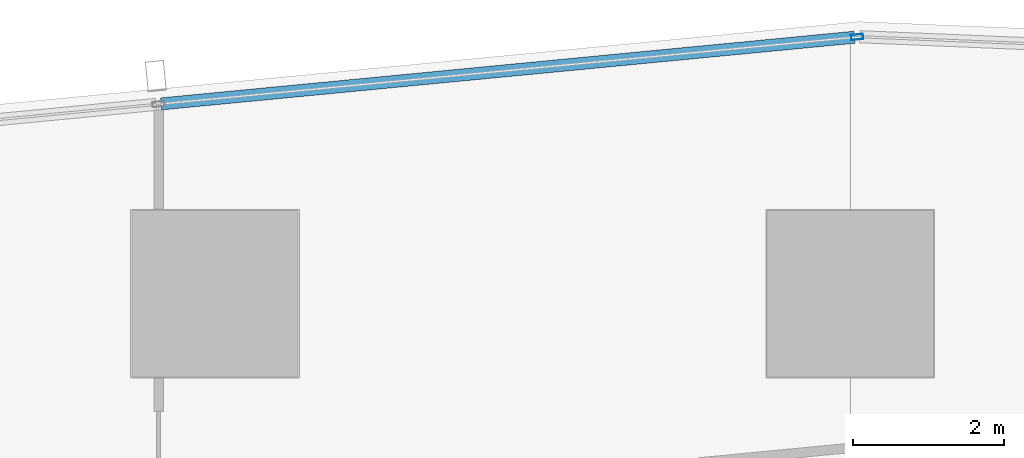
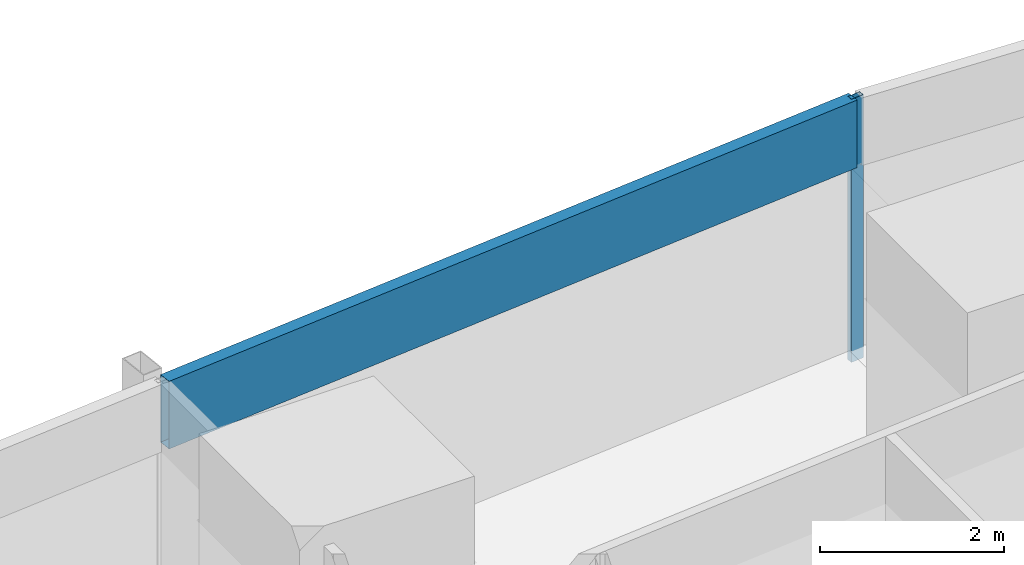
# One storey, part 17 of 42: 2 members, 1 element without a shape of its own.
"""IFC4 building model written with IfcOpenShell, lengths in metres."""

from ifc_helpers import new_model, si_unit, direction, frame, origin, origin_2d, place, context, subcontext, project, spatial, hollow_rectangle, extrude, material, material_profile, profile_set, type_object, element, aggregate, save


model = new_model("IFC4")

# Units and contexts
model_context = context("Model", 3, precision=1e-05, world=origin(), true_north=direction((0.0, 1.0)))
body_context = subcontext(model_context, "Body", "Model", "MODEL_VIEW")
ifc_project = project(units=[si_unit("LENGTHUNIT", "METRE"), si_unit("AREAUNIT", "SQUARE_METRE"), si_unit("VOLUMEUNIT", "CUBIC_METRE"), si_unit("PLANEANGLEUNIT", "RADIAN"), si_unit("MASSUNIT", "GRAM", prefix="KILO")], contexts=[model_context])

# Site, building, storey
site_placement = place(None, origin())
site = spatial("IfcSite", under=ifc_project, at=site_placement, CompositionType="ELEMENT")
building_placement = place(site_placement, origin())
building = spatial("IfcBuilding", under=site, at=building_placement, Name="Rekha Terrace Tower", CompositionType="ELEMENT")
storey_placement = place(building_placement, frame((0.0, 0.0, 70.39990234375)))
storey = spatial("IfcBuildingStorey", under=building, at=storey_placement, Name="L17", CompositionType="ELEMENT", Elevation=70.39990234375)

# Curtain wall, members
ifc_material_1 = material(Name="Aluminium framing", Category="aluminium")
curtain_wall_type = type_object("IfcCurtainWallType", Name="CW3 north unitised glazing", PredefinedType="USERDEFINED", material=ifc_material_1)
curtain_wall_placement = place(storey_placement, origin())
curtain_wall = element("IfcCurtainWall", 1, at=curtain_wall_placement, inside=storey, type_object=curtain_wall_type, Name="CW3 unitised curtain wall", ObjectType="UNITISED CURTAIN WALL", PredefinedType="USERDEFINED")
ifc_material_2 = material(Name="Aluminium mullion section", Category="aluminium")
ifc_material_profile_1 = material_profile(ifc_material_2, hollow_rectangle(XDim=0.070068359375, YDim=0.159912109375, WallThickness=0.00390625, at=origin_2d()), Name="AL RHS 70x160")
ifc_profile_set_1 = profile_set([ifc_material_profile_1], Name="Aluminium mullion section")
member_type_1 = type_object("IfcMemberType", Name="CW3 mullion RHS 70 x 160", PredefinedType="MULLION", material=ifc_profile_set_1)
member_1_placement = place(storey_placement, frame((25.29052734375, 62.1962890625, 0.0), z_axis=(0.0, 0.0, 1.0), x_axis=(0.095712406625, -0.995409029102, 0.0)))
member_1 = element("IfcMember", 2, at=member_1_placement, type_object=member_type_1, Name="CW3 mullion 1", PredefinedType="MULLION", context=body_context, shape_type="SweptSolid", body=[
    extrude(hollow_rectangle(XDim=0.070068359375, YDim=0.159912109375, WallThickness=0.00390625, at=origin_2d()), origin(), (0.0, 0.0, 1.0), 3.5),
])
ifc_material_3 = material(Name="Insulated aluminium spandrel box", Category="aluminium")
ifc_material_profile_2 = material_profile(ifc_material_3, hollow_rectangle(XDim=0.159912109375, YDim=0.89990234375, WallThickness=0.0029296875, at=origin_2d()), Name="AL SPANDREL BOX 160x900")
ifc_profile_set_2 = profile_set([ifc_material_profile_2], Name="Insulated aluminium spandrel box")
member_type_2 = type_object("IfcMemberType", Name="CW3 spandrel transom 160 x 900", PredefinedType="USERDEFINED", material=ifc_profile_set_2)
member_2_placement = place(storey_placement, frame((25.255859375, 62.19287109375, 3.050048828125), z_axis=(-0.995408446287, -0.095718467713, 0.0), x_axis=(0.095718467713, -0.995408446287, 0.0)))
member_2 = element("IfcMember", 3, at=member_2_placement, type_object=member_type_2, Name="CW3 spandrel transom 1", ObjectType="TRANSOM", PredefinedType="USERDEFINED", context=body_context, shape_type="SweptSolid", body=[
    extrude(hollow_rectangle(XDim=0.159912109375, YDim=0.89990234375, WallThickness=0.0029296875, at=origin_2d()), origin(), (0.0, 0.0, 1.0), 9.210205078125),
])
aggregate(curtain_wall, [member_1, member_2])

save(model, "model.ifc")
